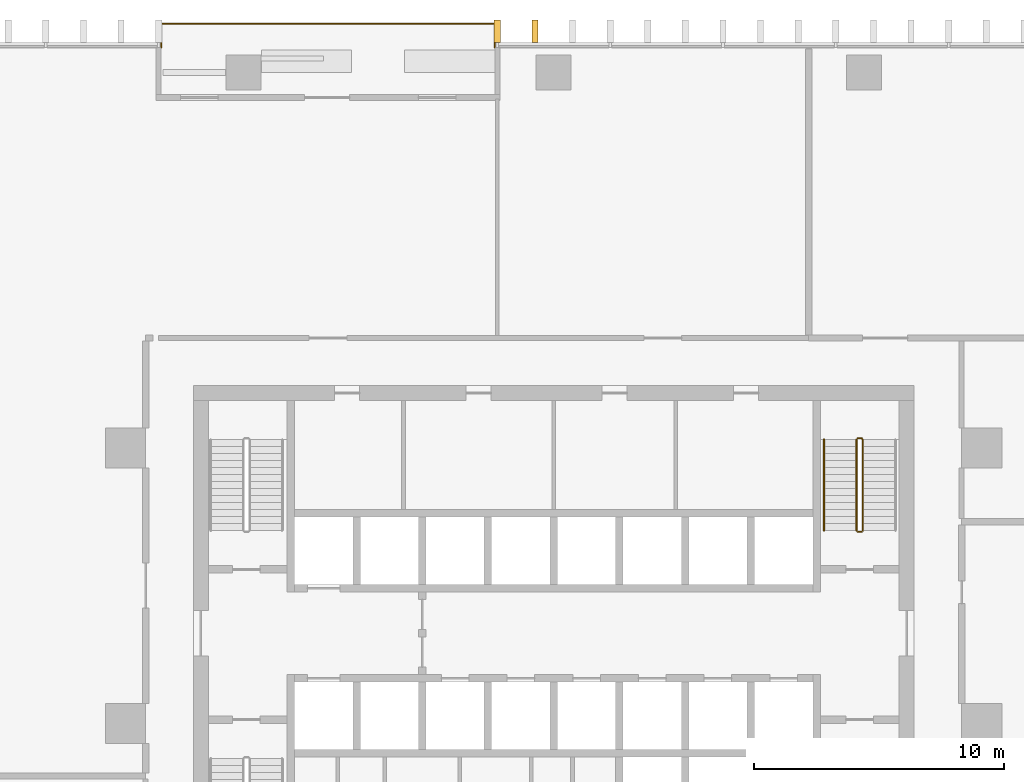
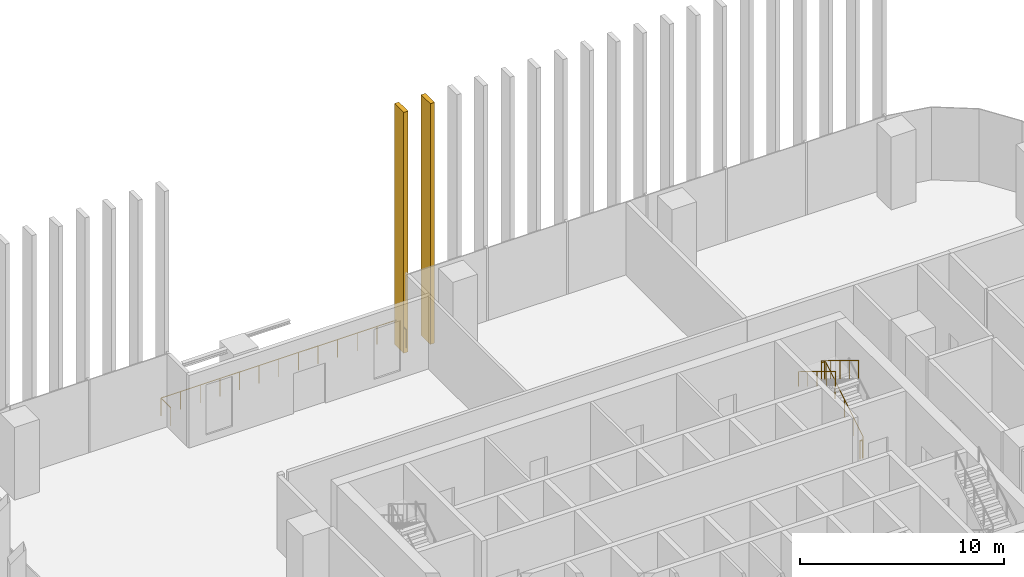
# One storey, part 15 of 16: 5 railings, 2 shading devices.
"""IFC4 building model written with IfcOpenShell, lengths in metres."""

from ifc_helpers import new_model, si_unit, direction, frame, origin, origin_2d, place, context, subcontext, project, spatial, rectangle, circle, extrude, material, type_object, element, save


model = new_model("IFC4")

# Units and contexts
model_context = context("Model", 3, precision=1e-05, world=origin(), true_north=direction((0.0, 1.0)))
body_context = subcontext(model_context, "Body", "Model", "MODEL_VIEW")
ifc_project = project(units=[si_unit("LENGTHUNIT", "METRE"), si_unit("AREAUNIT", "SQUARE_METRE"), si_unit("VOLUMEUNIT", "CUBIC_METRE"), si_unit("PLANEANGLEUNIT", "RADIAN"), si_unit("MASSUNIT", "GRAM", prefix="KILO")], contexts=[model_context])

# Site, building, storey
site_placement = place(None, origin())
site = spatial("IfcSite", under=ifc_project, at=site_placement, CompositionType="ELEMENT")
building_placement = place(site_placement, origin())
building = spatial("IfcBuilding", under=site, at=building_placement, Name="Mopane Tessera Tower", CompositionType="ELEMENT")
storey_placement = place(building_placement, frame((0.0, 0.0, 59.800048828125)))
storey = spatial("IfcBuildingStorey", under=building, at=storey_placement, Name="L11", CompositionType="ELEMENT", Elevation=59.800048828125)

# Shading devices
ifc_material_1 = material(Name="Glazed ceramic tile")
shading_device_type = type_object("IfcShadingDeviceType", Name="Ceramic tile fin 900 x 250 mm", PredefinedType="USERDEFINED", material=ifc_material_1)
for number, where, z_axis, x_axis, name in (
    (1, (-0.75146484375, 27.64990234375, -0.449951171875), (0.0, 0.0, 1.0), (-1.0, 0.0, 0.0), "e:fin:L11:N:5:2"),
    (2, (-2.254638671875, 27.64990234375, -0.449951171875), (0.0, 0.0, 1.0), (-1.0, 0.0, 0.0), "e:fin:L11:N:5:3"),
):
    element("IfcShadingDevice", number, at=place(storey_placement, frame(where, z_axis=z_axis, x_axis=x_axis)), inside=storey, type_object=shading_device_type, Name=name, ObjectType="FIN", PredefinedType="USERDEFINED", context=body_context, shape_type="SweptSolid", body=[
        extrude(rectangle(XDim=0.25, YDim=0.89990234375, at=origin_2d()), origin(), (0.0, 0.0, 1.0), 14.39990234375),
    ])

# Railings
ifc_material_2 = material(Name="Powder-coated steel balustrade", Category="steel")
railing_type_1 = type_object("IfcRailingType", Name="Escape stair guard 1100 mm", PredefinedType="GUARDRAIL", material=ifc_material_2)
railing_1_placement = place(storey_placement, frame((12.35009765625, 7.699951171875, 0.17138671875)))
element("IfcRailing", 3, at=railing_1_placement, inside=storey, type_object=railing_type_1, Name="L11 ST4 stair guard 1", PredefinedType="GUARDRAIL", context=body_context, shape_type="SweptSolid", body=[
    extrude(circle(Radius=0.02392578125, at=origin_2d()), frame((0.0, 0.0, 1.076171875), z_axis=(0.0, 0.852865859571, 0.52213008492), x_axis=(-1.0, 0.0, 0.0)), (0.0, 0.0, 1.0), 4.26806640625),
    extrude(circle(Radius=0.02392578125, at=origin_2d()), frame((0.0, 3.64013671875, 3.3046875), z_axis=(-0.708833529934, 0.705375805398, 0.0), x_axis=(-0.705375805398, -0.708833529934, 0.0)), (0.0, 0.0, 1.0), 0.070556640625),
    extrude(circle(Radius=0.02392578125, at=origin_2d()), frame((-0.050048828125, 3.68994140625, 3.3046875), z_axis=(-1.0, 0.0, 0.0), x_axis=(0.0, -1.0, 0.0)), (0.0, 0.0, 1.0), 0.150146484375),
    extrude(circle(Radius=0.02099609375, at=origin_2d()), origin(), (0.0, 0.0, 1.0), 1.052001953125),
    extrude(circle(Radius=0.02099609375, at=origin_2d()), frame((0.0, 0.91015625, 0.55712890625)), (0.0, 0.0, 1.0), 1.052001953125),
    extrude(circle(Radius=0.02099609375, at=origin_2d()), frame((0.0, 1.820068359375, 1.1142578125)), (0.0, 0.0, 1.0), 1.052001953125),
    extrude(circle(Radius=0.02099609375, at=origin_2d()), frame((0.0, 2.72998046875, 1.67138671875)), (0.0, 0.0, 1.0), 1.052001953125),
    extrude(circle(Radius=0.02099609375, at=origin_2d()), frame((0.0, 3.64013671875, 2.228515625)), (0.0, 0.0, 1.0), 1.052001953125),
    extrude(circle(Radius=0.02099609375, at=origin_2d()), frame((-0.050048828125, 3.68994140625, 2.228515625)), (0.0, 0.0, 1.0), 1.052001953125),
    extrude(circle(Radius=0.02099609375, at=origin_2d()), frame((-0.2001953125, 3.68994140625, 2.228515625)), (0.0, 0.0, 1.0), 1.052001953125),
])
railing_2_placement = place(storey_placement, frame((12.10009765625, 11.340087890625, 2.5712890625)))
element("IfcRailing", 4, at=railing_2_placement, inside=storey, type_object=railing_type_1, Name="L11 ST4 stair guard 2", PredefinedType="GUARDRAIL", context=body_context, shape_type="SweptSolid", body=[
    extrude(circle(Radius=0.02392578125, at=origin_2d()), frame((0.0, 0.0, 1.076171875), z_axis=(0.0, -0.852840387347, 0.522171689878), x_axis=(1.0, 0.0, 0.0)), (0.0, 0.0, 1.0), 4.268310546875),
    extrude(circle(Radius=0.02099609375, at=origin_2d()), origin(), (0.0, 0.0, 1.0), 1.052001953125),
    extrude(circle(Radius=0.02099609375, at=origin_2d()), frame((0.0, -0.91015625, 0.55712890625)), (0.0, 0.0, 1.0), 1.052001953125),
    extrude(circle(Radius=0.02099609375, at=origin_2d()), frame((0.0, -1.820068359375, 1.1142578125)), (0.0, 0.0, 1.0), 1.052001953125),
    extrude(circle(Radius=0.02099609375, at=origin_2d()), frame((0.0, -2.72998046875, 1.671630859375)), (0.0, 0.0, 1.0), 1.052001953125),
    extrude(circle(Radius=0.02099609375, at=origin_2d()), frame((0.0, -3.64013671875, 2.228759765625)), (0.0, 0.0, 1.0), 1.052001953125),
])
railing_3_placement = place(storey_placement, frame((12.300048828125, 7.64990234375, 0.0)))
element("IfcRailing", 5, at=railing_3_placement, inside=storey, type_object=railing_type_1, Name="L11 ST4 stair guard 3", PredefinedType="GUARDRAIL", context=body_context, shape_type="SweptSolid", body=[
    extrude(circle(Radius=0.02392578125, at=origin_2d()), frame((0.0, 0.0, 1.076171875), z_axis=(-1.0, 0.0, 0.0), x_axis=(0.0, -1.0, 0.0)), (0.0, 0.0, 1.0), 0.150146484375),
    extrude(circle(Radius=0.02099609375, at=origin_2d()), origin(), (0.0, 0.0, 1.0), 1.052001953125),
    extrude(circle(Radius=0.02099609375, at=origin_2d()), frame((-0.150146484375, 0.0, 0.0)), (0.0, 0.0, 1.0), 1.052001953125),
])
ifc_material_3 = material(Name="Powder-coated steel balustrade", Category="steel")
railing_type_2 = type_object("IfcRailingType", Name="Escape stair handrail 900 mm", PredefinedType="HANDRAIL", material=ifc_material_3)
railing_4_placement = place(storey_placement, frame((10.800048828125, 11.340087890625, 2.5712890625)))
element("IfcRailing", 6, at=railing_4_placement, inside=storey, type_object=railing_type_2, Name="L11 ST4 stair handrail 2", PredefinedType="HANDRAIL", context=body_context, shape_type="SweptSolid", body=[
    extrude(circle(Radius=0.02392578125, at=origin_2d()), frame((0.0, 0.0, 0.8759765625), z_axis=(0.0, -0.852840387347, 0.522171689878), x_axis=(1.0, 0.0, 0.0)), (0.0, 0.0, 1.0), 4.268310546875),
    extrude(circle(Radius=0.02099609375, at=origin_2d()), origin(), (0.0, 0.0, 1.0), 0.851806640625),
    extrude(circle(Radius=0.02099609375, at=origin_2d()), frame((0.0, -0.91015625, 0.55712890625)), (0.0, 0.0, 1.0), 0.851806640625),
    extrude(circle(Radius=0.02099609375, at=origin_2d()), frame((0.0, -1.820068359375, 1.1142578125)), (0.0, 0.0, 1.0), 0.851806640625),
    extrude(circle(Radius=0.02099609375, at=origin_2d()), frame((0.0, -2.72998046875, 1.671630859375)), (0.0, 0.0, 1.0), 0.851806640625),
    extrude(circle(Radius=0.02099609375, at=origin_2d()), frame((0.0, -3.64013671875, 2.228759765625)), (0.0, 0.0, 1.0), 0.851806640625),
])
ifc_material_4 = material(Name="Stainless steel S316", Category="steel")
railing_type_3 = type_object("IfcRailingType", Name="Terrace guard 1100", PredefinedType="GUARDRAIL", material=ifc_material_4)
railing_5_placement = place(storey_placement, frame((-2.3544921875, 27.0, 0.0)))
element("IfcRailing", 7, at=railing_5_placement, inside=storey, type_object=railing_type_3, Name="e:nw:L11:N2:guard", PredefinedType="GUARDRAIL", context=body_context, shape_type="SweptSolid", body=[
    extrude(circle(Radius=0.02392578125, at=origin_2d()), frame((0.0, 0.0, 1.076171875), z_axis=(0.0, 1.0, 0.0), x_axis=(-1.0, 0.0, 0.0)), (0.0, 0.0, 1.0), 0.949951171875),
    extrude(circle(Radius=0.02392578125, at=origin_2d()), frame((0.0, 0.949951171875, 1.076171875), z_axis=(-1.0, 0.0, 0.0), x_axis=(0.0, -1.0, 0.0)), (0.0, 0.0, 1.0), 13.327392578125),
    extrude(circle(Radius=0.02392578125, at=origin_2d()), frame((-13.327392578125, 0.949951171875, 1.076171875), z_axis=(0.0, -1.0, 0.0), x_axis=(1.0, 0.0, 0.0)), (0.0, 0.0, 1.0), 0.949951171875),
    extrude(circle(Radius=0.02099609375, at=origin_2d()), origin(), (0.0, 0.0, 1.0), 1.052001953125),
    extrude(circle(Radius=0.02099609375, at=origin_2d()), frame((0.0, 0.949951171875, 0.0)), (0.0, 0.0, 1.0), 1.052001953125),
    extrude(circle(Radius=0.02099609375, at=origin_2d()), frame((-1.110595703125, 0.949951171875, 0.0)), (0.0, 0.0, 1.0), 1.052001953125),
    extrude(circle(Radius=0.02099609375, at=origin_2d()), frame((-2.22119140625, 0.949951171875, 0.0)), (0.0, 0.0, 1.0), 1.052001953125),
    extrude(circle(Radius=0.02099609375, at=origin_2d()), frame((-3.331787109375, 0.949951171875, 0.0)), (0.0, 0.0, 1.0), 1.052001953125),
    extrude(circle(Radius=0.02099609375, at=origin_2d()), frame((-4.4423828125, 0.949951171875, 0.0)), (0.0, 0.0, 1.0), 1.052001953125),
    extrude(circle(Radius=0.02099609375, at=origin_2d()), frame((-5.552978515625, 0.949951171875, 0.0)), (0.0, 0.0, 1.0), 1.052001953125),
    extrude(circle(Radius=0.02099609375, at=origin_2d()), frame((-6.66357421875, 0.949951171875, 0.0)), (0.0, 0.0, 1.0), 1.052001953125),
    extrude(circle(Radius=0.02099609375, at=origin_2d()), frame((-7.7744140625, 0.949951171875, 0.0)), (0.0, 0.0, 1.0), 1.052001953125),
    extrude(circle(Radius=0.02099609375, at=origin_2d()), frame((-8.885009765625, 0.949951171875, 0.0)), (0.0, 0.0, 1.0), 1.052001953125),
    extrude(circle(Radius=0.02099609375, at=origin_2d()), frame((-9.99560546875, 0.949951171875, 0.0)), (0.0, 0.0, 1.0), 1.052001953125),
    extrude(circle(Radius=0.02099609375, at=origin_2d()), frame((-11.106201171875, 0.949951171875, 0.0)), (0.0, 0.0, 1.0), 1.052001953125),
    extrude(circle(Radius=0.02099609375, at=origin_2d()), frame((-12.216796875, 0.949951171875, 0.0)), (0.0, 0.0, 1.0), 1.052001953125),
    extrude(circle(Radius=0.02099609375, at=origin_2d()), frame((-13.327392578125, 0.949951171875, 0.0)), (0.0, 0.0, 1.0), 1.052001953125),
    extrude(circle(Radius=0.02099609375, at=origin_2d()), frame((-13.327392578125, 0.0, 0.0)), (0.0, 0.0, 1.0), 1.052001953125),
])

save(model, "model.ifc")
